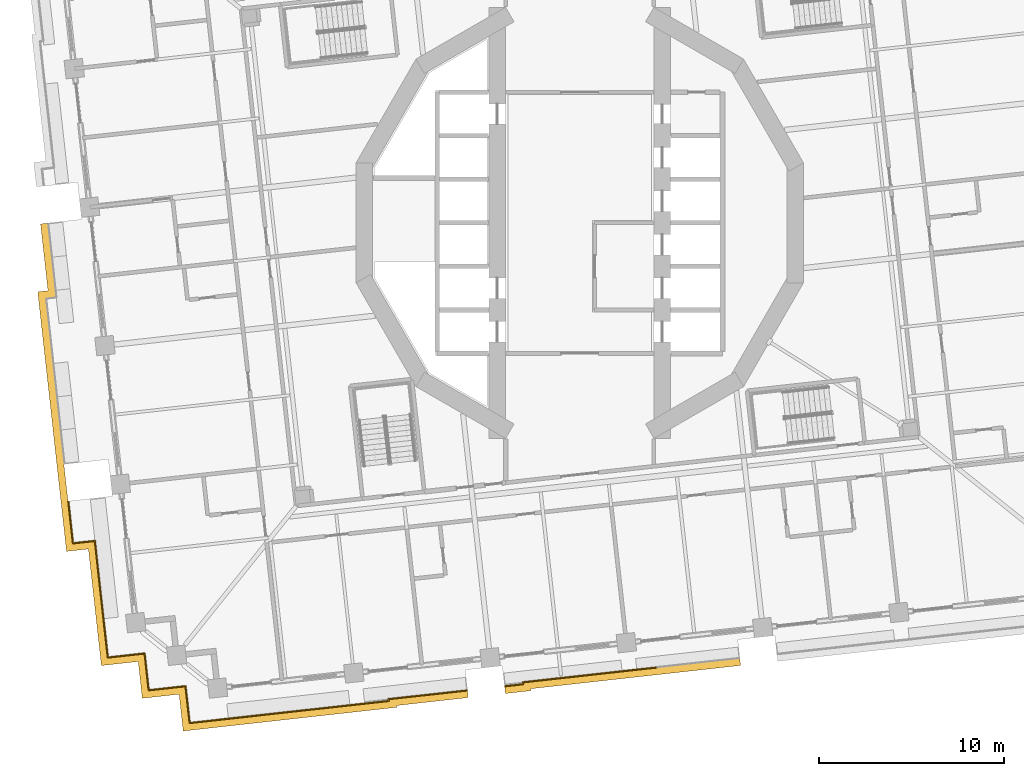
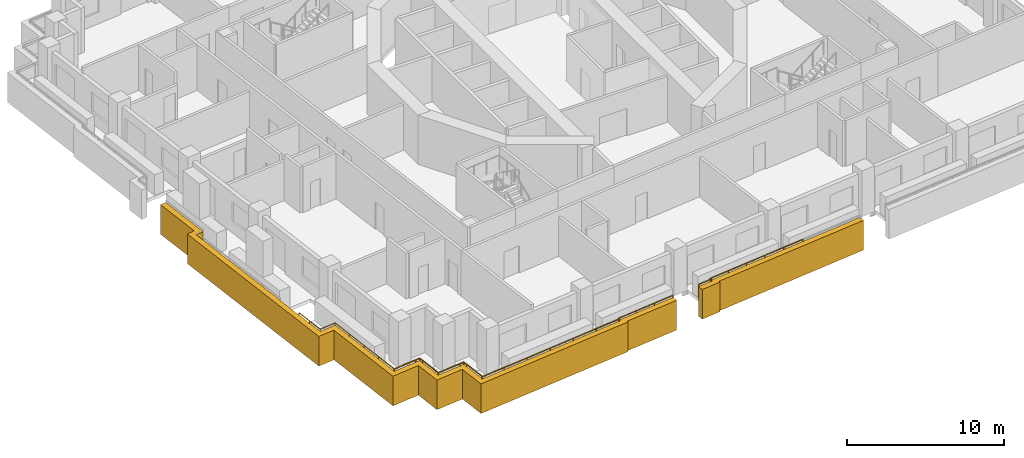
# One storey, part 12 of 19: 3 railings, 2 coverings.
"""IFC4 building model written with IfcOpenShell, lengths in metres."""

from ifc_helpers import new_model, si_unit, direction, frame, origin, origin_2d, place, context, subcontext, project, spatial, polyline, circle, outline, extrude, material, type_object, element, save


model = new_model("IFC4")

# Units and contexts
model_context = context("Model", 3, precision=1e-05, world=origin(), true_north=direction((0.0, 1.0)))
body_context = subcontext(model_context, "Body", "Model", "MODEL_VIEW")
ifc_project = project(units=[si_unit("LENGTHUNIT", "METRE"), si_unit("AREAUNIT", "SQUARE_METRE"), si_unit("VOLUMEUNIT", "CUBIC_METRE"), si_unit("PLANEANGLEUNIT", "RADIAN"), si_unit("MASSUNIT", "GRAM", prefix="KILO")], contexts=[model_context])

# Site, building, storey
site_placement = place(None, origin())
site = spatial("IfcSite", under=ifc_project, at=site_placement, CompositionType="ELEMENT")
building_placement = place(site_placement, origin())
building = spatial("IfcBuilding", under=site, at=building_placement, Name="Cantera Rosa Tower", CompositionType="ELEMENT")
storey_placement = place(building_placement, frame((0.0, 0.0, 53.89990234375)))
storey = spatial("IfcBuildingStorey", under=building, at=storey_placement, Name="L10", CompositionType="ELEMENT", Elevation=53.89990234375)

# Railings
ifc_material_1 = material(Name="Stainless steel and laminated glass", Category="steel")
railing_type = type_object("IfcRailingType", Name="GUARD 1100", PredefinedType="BALUSTRADE", material=ifc_material_1)
railing_1_placement = place(storey_placement, frame((-25.46826171875, -23.45263671875, 0.0)))
element("IfcRailing", 1, at=railing_1_placement, inside=storey, type_object=railing_type, Name="GUARD L10-1", PredefinedType="BALUSTRADE", context=body_context, shape_type="SweptSolid", body=[
    extrude(circle(Radius=0.030029296875, at=origin_2d()), frame((0.0, 0.0, 1.070068359375), z_axis=(-0.110289669906, 0.993899486222, 0.0), x_axis=(-0.993899486222, -0.110289669906, 0.0)), (0.0, 0.0, 1.0), 1.699951171875),
    extrude(circle(Radius=0.030029296875, at=origin_2d()), frame((-0.1875, 1.689697265625, 1.070068359375), z_axis=(-0.110310048323, 0.993897224686, 0.0), x_axis=(-0.993897224686, -0.110310048323, 0.0)), (0.0, 0.0, 1.0), 4.63232421875),
    extrude(circle(Radius=0.030029296875, at=origin_2d()), frame((-0.698486328125, 6.293701171875, 1.070068359375), z_axis=(-0.993911279604, -0.110183339373, 0.0), x_axis=(0.110183339373, -0.993911279604, 0.0)), (0.0, 0.0, 1.0), 1.187744140625),
    extrude(circle(Radius=0.030029296875, at=origin_2d()), frame((-1.87890625, 6.162841796875, 1.070068359375), z_axis=(-0.110312824257, 0.993896916589, 0.0), x_axis=(-0.993896916589, -0.110312824257, 0.0)), (0.0, 0.0, 1.0), 2.25732421875),
    extrude(circle(Radius=0.02490234375, at=origin_2d()), origin(), (0.0, 0.0, 1.0), 1.0400390625),
    extrude(circle(Radius=0.02490234375, at=origin_2d()), frame((-0.1875, 1.689697265625, 0.0)), (0.0, 0.0, 1.0), 1.0400390625),
    extrude(circle(Radius=0.02490234375, at=origin_2d()), frame((-0.35791015625, 3.224365234375, 0.0)), (0.0, 0.0, 1.0), 1.0400390625),
    extrude(circle(Radius=0.02490234375, at=origin_2d()), frame((-0.528076171875, 4.759033203125, 0.0)), (0.0, 0.0, 1.0), 1.0400390625),
    extrude(circle(Radius=0.02490234375, at=origin_2d()), frame((-0.698486328125, 6.293701171875, 0.0)), (0.0, 0.0, 1.0), 1.0400390625),
    extrude(circle(Radius=0.02490234375, at=origin_2d()), frame((-1.87890625, 6.162841796875, 0.0)), (0.0, 0.0, 1.0), 1.0400390625),
    extrude(circle(Radius=0.02490234375, at=origin_2d()), frame((-2.00341796875, 7.28466796875, 0.0)), (0.0, 0.0, 1.0), 1.0400390625),
    extrude(circle(Radius=0.02490234375, at=origin_2d()), frame((-2.1279296875, 8.406494140625, 0.0)), (0.0, 0.0, 1.0), 1.0400390625),
])
railing_2_placement = place(storey_placement, frame((-6.083984375, -25.22900390625, 0.0)))
element("IfcRailing", 2, at=railing_2_placement, inside=storey, type_object=railing_type, Name="GUARD L10-2", PredefinedType="BALUSTRADE", context=body_context, shape_type="SweptSolid", body=[
    extrude(circle(Radius=0.030029296875, at=origin_2d()), frame((0.0, 0.0, 1.070068359375), z_axis=(-0.993899065121, -0.110293464685, 0.0), x_axis=(0.110293464685, -0.993899065121, 0.0)), (0.0, 0.0, 1.0), 4.27001953125),
    extrude(circle(Radius=0.030029296875, at=origin_2d()), frame((-4.243896484375, -0.470947265625, 1.070068359375), z_axis=(0.109039814969, -0.994037382975, 0.0), x_axis=(0.994037382975, 0.109039814969, 0.0)), (0.0, 0.0, 1.0), 0.09619140625),
    extrude(circle(Radius=0.030029296875, at=origin_2d()), frame((-4.2333984375, -0.566650390625, 1.070068359375), z_axis=(-0.993899102511, -0.110293127745, 0.0), x_axis=(0.110293127745, -0.993899102511, 0.0)), (0.0, 0.0, 1.0), 9.099853515625),
    extrude(circle(Radius=0.030029296875, at=origin_2d()), frame((-13.27783203125, -1.5703125, 1.070068359375), z_axis=(-0.993883734674, -0.110431526075, 0.0), x_axis=(0.110431526075, -0.993883734674, 0.0)), (0.0, 0.0, 1.0), 1.7001953125),
    extrude(circle(Radius=0.030029296875, at=origin_2d()), frame((-14.967529296875, -1.758056640625, 1.070068359375), z_axis=(-0.110289669906, 0.993899486222, 0.0), x_axis=(-0.993899486222, -0.110289669906, 0.0)), (0.0, 0.0, 1.0), 1.699951171875),
    extrude(circle(Radius=0.030029296875, at=origin_2d()), frame((-15.155029296875, -0.068359375, 1.070068359375), z_axis=(-0.110699535641, 0.99385391925, 0.0), x_axis=(-0.99385391925, -0.110699535641, 0.0)), (0.0, 0.0, 1.0), 0.300048828125),
    extrude(circle(Radius=0.030029296875, at=origin_2d()), frame((-15.188232421875, 0.229736328125, 1.070068359375), z_axis=(-0.993943154022, -0.10989543472, 0.0), x_axis=(0.10989543472, -0.993943154022, 0.0)), (0.0, 0.0, 1.0), 0.2998046875),
    extrude(circle(Radius=0.030029296875, at=origin_2d()), frame((-15.486328125, 0.19677734375, 1.070068359375), z_axis=(-0.993899486222, -0.110289669906, 0.0), x_axis=(0.110289669906, -0.993899486222, 0.0)), (0.0, 0.0, 1.0), 1.699951171875),
    extrude(circle(Radius=0.030029296875, at=origin_2d()), frame((-17.176025390625, 0.00927734375, 1.070068359375), z_axis=(-0.110305413813, 0.993897739047, 0.0), x_axis=(-0.993897739047, -0.110305413813, 0.0)), (0.0, 0.0, 1.0), 1.69970703125),
    extrude(circle(Radius=0.030029296875, at=origin_2d()), frame((-17.363525390625, 1.69873046875, 1.070068359375), z_axis=(-0.1098065887, 0.993952973273, 0.0), x_axis=(-0.993952973273, -0.1098065887, 0.0)), (0.0, 0.0, 1.0), 0.300048828125),
    extrude(circle(Radius=0.030029296875, at=origin_2d()), frame((-17.396484375, 1.9970703125, 1.070068359375), z_axis=(-0.993863881828, -0.110610055588, 0.0), x_axis=(0.110610055588, -0.993863881828, 0.0)), (0.0, 0.0, 1.0), 0.30029296875),
    extrude(circle(Radius=0.030029296875, at=origin_2d()), frame((-17.69482421875, 1.9638671875, 1.070068359375), z_axis=(-0.993897739047, -0.110305413813, 0.0), x_axis=(0.110305413813, -0.993897739047, 0.0)), (0.0, 0.0, 1.0), 1.69970703125),
    extrude(circle(Radius=0.02490234375, at=origin_2d()), origin(), (0.0, 0.0, 1.0), 1.0400390625),
    extrude(circle(Radius=0.02490234375, at=origin_2d()), frame((-1.41455078125, -0.156982421875, 0.0)), (0.0, 0.0, 1.0), 1.0400390625),
    extrude(circle(Radius=0.02490234375, at=origin_2d()), frame((-2.829345703125, -0.31396484375, 0.0)), (0.0, 0.0, 1.0), 1.0400390625),
    extrude(circle(Radius=0.02490234375, at=origin_2d()), frame((-4.243896484375, -0.470947265625, 0.0)), (0.0, 0.0, 1.0), 1.0400390625),
    extrude(circle(Radius=0.02490234375, at=origin_2d()), frame((-4.2333984375, -0.566650390625, 0.0)), (0.0, 0.0, 1.0), 1.0400390625),
    extrude(circle(Radius=0.02490234375, at=origin_2d()), frame((-6.042236328125, -0.767333984375, 0.0)), (0.0, 0.0, 1.0), 1.0400390625),
    extrude(circle(Radius=0.02490234375, at=origin_2d()), frame((-7.85107421875, -0.968017578125, 0.0)), (0.0, 0.0, 1.0), 1.0400390625),
    extrude(circle(Radius=0.02490234375, at=origin_2d()), frame((-9.66015625, -1.1689453125, 0.0)), (0.0, 0.0, 1.0), 1.0400390625),
    extrude(circle(Radius=0.02490234375, at=origin_2d()), frame((-11.468994140625, -1.36962890625, 0.0)), (0.0, 0.0, 1.0), 1.0400390625),
    extrude(circle(Radius=0.02490234375, at=origin_2d()), frame((-13.27783203125, -1.5703125, 0.0)), (0.0, 0.0, 1.0), 1.0400390625),
    extrude(circle(Radius=0.02490234375, at=origin_2d()), frame((-14.967529296875, -1.758056640625, 0.0)), (0.0, 0.0, 1.0), 1.0400390625),
    extrude(circle(Radius=0.02490234375, at=origin_2d()), frame((-15.155029296875, -0.068359375, 0.0)), (0.0, 0.0, 1.0), 1.0400390625),
    extrude(circle(Radius=0.02490234375, at=origin_2d()), frame((-15.188232421875, 0.229736328125, 0.0)), (0.0, 0.0, 1.0), 1.0400390625),
    extrude(circle(Radius=0.02490234375, at=origin_2d()), frame((-15.486328125, 0.19677734375, 0.0)), (0.0, 0.0, 1.0), 1.0400390625),
    extrude(circle(Radius=0.02490234375, at=origin_2d()), frame((-17.176025390625, 0.00927734375, 0.0)), (0.0, 0.0, 1.0), 1.0400390625),
    extrude(circle(Radius=0.02490234375, at=origin_2d()), frame((-17.363525390625, 1.69873046875, 0.0)), (0.0, 0.0, 1.0), 1.0400390625),
    extrude(circle(Radius=0.02490234375, at=origin_2d()), frame((-17.396484375, 1.9970703125, 0.0)), (0.0, 0.0, 1.0), 1.0400390625),
    extrude(circle(Radius=0.02490234375, at=origin_2d()), frame((-17.69482421875, 1.9638671875, 0.0)), (0.0, 0.0, 1.0), 1.0400390625),
    extrude(circle(Radius=0.02490234375, at=origin_2d()), frame((-19.38427734375, 1.7763671875, 0.0)), (0.0, 0.0, 1.0), 1.0400390625),
])
railing_3_placement = place(storey_placement, frame((4.17138671875, -23.986328125, 0.0)))
element("IfcRailing", 3, at=railing_3_placement, inside=storey, type_object=railing_type, Name="GUARD L10-7", PredefinedType="BALUSTRADE", context=body_context, shape_type="SweptSolid", body=[
    extrude(circle(Radius=0.030029296875, at=origin_2d()), frame((0.0, 0.0, 1.070068359375), z_axis=(-0.993901585709, -0.110270748271, 0.0), x_axis=(0.110270748271, -0.993901585709, 0.0)), (0.0, 0.0, 1.0), 3.0),
    extrude(circle(Radius=0.030029296875, at=origin_2d()), frame((-2.981689453125, -0.330810546875, 1.070068359375), z_axis=(-0.993897587788, -0.110306776711, 0.0), x_axis=(0.110306776711, -0.993897587788, 0.0)), (0.0, 0.0, 1.0), 4.2958984375),
    extrude(circle(Radius=0.030029296875, at=origin_2d()), frame((-7.25146484375, -0.8046875, 1.070068359375), z_axis=(0.110431526075, -0.993883734674, 0.0), x_axis=(0.993883734674, 0.110431526075, 0.0)), (0.0, 0.0, 1.0), 0.10400390625),
    extrude(circle(Radius=0.030029296875, at=origin_2d()), frame((-7.239990234375, -0.907958984375, 1.070068359375), z_axis=(-0.993899009794, -0.110293963256, 0.0), x_axis=(0.110293963256, -0.993899009794, 0.0)), (0.0, 0.0, 1.0), 0.973876953125),
    extrude(circle(Radius=0.02490234375, at=origin_2d()), origin(), (0.0, 0.0, 1.0), 1.0400390625),
    extrude(circle(Radius=0.02490234375, at=origin_2d()), frame((-1.49072265625, -0.16552734375, 0.0)), (0.0, 0.0, 1.0), 1.0400390625),
    extrude(circle(Radius=0.02490234375, at=origin_2d()), frame((-2.981689453125, -0.330810546875, 0.0)), (0.0, 0.0, 1.0), 1.0400390625),
    extrude(circle(Radius=0.02490234375, at=origin_2d()), frame((-4.405029296875, -0.48876953125, 0.0)), (0.0, 0.0, 1.0), 1.0400390625),
    extrude(circle(Radius=0.02490234375, at=origin_2d()), frame((-5.828125, -0.646728515625, 0.0)), (0.0, 0.0, 1.0), 1.0400390625),
    extrude(circle(Radius=0.02490234375, at=origin_2d()), frame((-7.25146484375, -0.8046875, 0.0)), (0.0, 0.0, 1.0), 1.0400390625),
    extrude(circle(Radius=0.02490234375, at=origin_2d()), frame((-7.239990234375, -0.907958984375, 0.0)), (0.0, 0.0, 1.0), 1.0400390625),
    extrude(circle(Radius=0.02490234375, at=origin_2d()), frame((-8.2080078125, -1.015380859375, 0.0)), (0.0, 0.0, 1.0), 1.0400390625),
])

# Coverings
ifc_material_2 = material(Name="Cantera stone", Category="masonry")
covering_type = type_object("IfcCoveringType", Name="TRAY FASCIA 400", PredefinedType="CLADDING", material=ifc_material_2)
covering_1_placement = place(storey_placement, frame((0.0, 0.0, -1.39990234375)))
element("IfcCovering", 4, at=covering_1_placement, inside=storey, type_object=covering_type, Name="TRAY FASCIA L10-02", PredefinedType="CLADDING", context=body_context, shape_type="SweptSolid", body=[
    extrude(outline(polyline([(-9.88623046875, -26.053466796875), (-9.875732421875, -26.14892578125), (-19.317626953125, -27.197021484375), (-21.405029296875, -27.4287109375), (-21.62548828125, -25.44091796875), (-23.61328125, -25.661376953125), (-23.833984375, -23.673583984375), (-25.82177734375, -23.894287109375), (-26.053466796875, -21.80712890625), (-26.520263671875, -17.6005859375), (-27.70068359375, -17.7314453125), (-29.255615234375, -3.722412109375), (-28.7021484375, -3.660888671875), (-29.101806640625, -0.060546875), (-28.704345703125, -0.0166015625), (-28.260498046875, -4.014404296875), (-28.813720703125, -4.075927734375), (-27.8212890625, -13.0185546875), (-27.83349609375, -13.019775390625), (-27.83447265625, -13.02001953125), (-27.83544921875, -13.020263671875), (-27.83642578125, -13.0205078125), (-27.83740234375, -13.02099609375), (-27.838134765625, -13.021484375), (-27.8388671875, -13.022216796875), (-27.839599609375, -13.022705078125), (-27.84033203125, -13.0234375), (-27.8408203125, -13.0244140625), (-27.84130859375, -13.025146484375), (-27.841796875, -13.026123046875), (-27.842041015625, -13.027099609375), (-27.84228515625, -13.028076171875), (-27.842529296875, -13.029052734375), (-27.842529296875, -13.030029296875), (-27.842529296875, -13.031005859375), (-27.621826171875, -15.018798828125), (-27.62158203125, -15.019775390625), (-27.621337890625, -15.0205078125), (-27.62109375, -15.021484375), (-27.62060546875, -15.0224609375), (-27.6201171875, -15.023193359375), (-27.61962890625, -15.02392578125), (-27.618896484375, -15.024658203125), (-27.6181640625, -15.025390625), (-27.617431640625, -15.02587890625), (-27.616455078125, -15.0263671875), (-27.615478515625, -15.02685546875), (-27.61474609375, -15.027099609375), (-27.61376953125, -15.02734375), (-27.61279296875, -15.027587890625), (-27.61181640625, -15.027587890625), (-27.61083984375, -15.027587890625), (-27.598388671875, -15.026123046875), (-27.34716796875, -17.289794921875), (-26.166748046875, -17.158935546875), (-25.65576171875, -21.762939453125), (-25.46826171875, -23.45263671875), (-23.77880859375, -23.26513671875), (-23.48046875, -23.23193359375), (-23.447509765625, -23.5302734375), (-23.260009765625, -25.2197265625), (-21.5703125, -25.0322265625), (-21.272216796875, -24.999267578125), (-21.239013671875, -25.29736328125), (-21.051513671875, -26.987060546875), (-19.36181640625, -26.79931640625), (-10.3173828125, -25.795654296875), (-10.327880859375, -25.699951171875), (-6.064208984375, -25.226806640625), (-6.02001953125, -25.624267578125), (-9.88623046875, -26.053466796875)])), origin(), (0.0, 0.0, 1.0), 2.300048828125),
])
covering_2_placement = place(storey_placement, frame((0.0, 0.0, -1.39990234375)))
element("IfcCovering", 5, at=covering_2_placement, inside=storey, type_object=covering_type, Name="TRAY FASCIA L10-04", PredefinedType="CLADDING", context=body_context, shape_type="SweptSolid", body=[
    extrude(outline(polyline([(8.588623046875, -23.8984375), (4.215576171875, -24.3837890625), (1.23388671875, -24.71484375), (-2.638427734375, -25.14453125), (-2.626953125, -25.247802734375), (-4.012451171875, -25.401611328125), (-4.056396484375, -25.00390625), (-3.068603515625, -24.894287109375), (-3.080078125, -24.791015625), (1.189697265625, -24.317138671875), (4.17138671875, -23.986328125), (8.544677734375, -23.500732421875), (8.634033203125, -23.490966796875), (8.67822265625, -23.888427734375), (8.588623046875, -23.8984375)])), origin(), (0.0, 0.0, 1.0), 2.300048828125),
])

save(model, "model.ifc")
